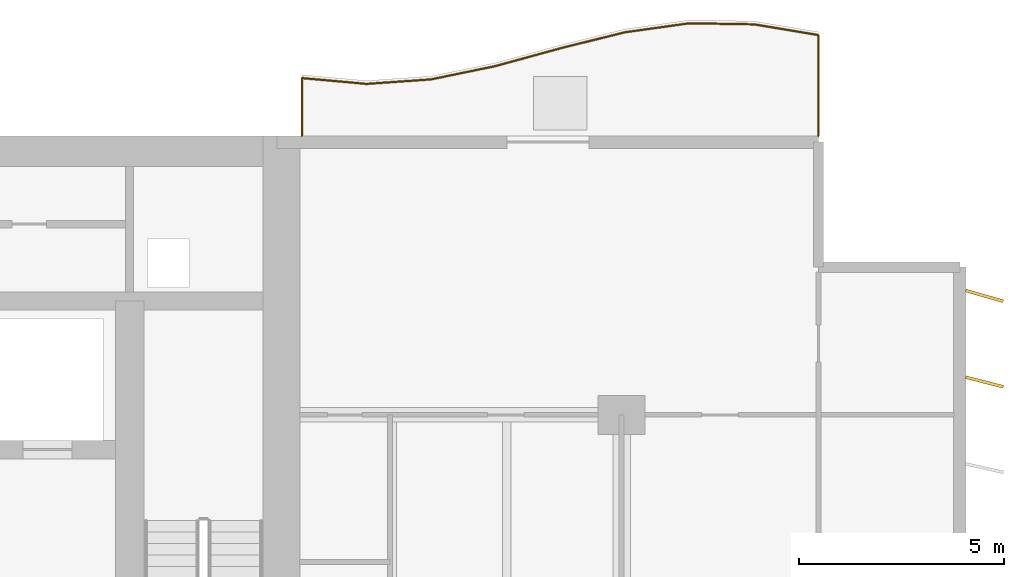
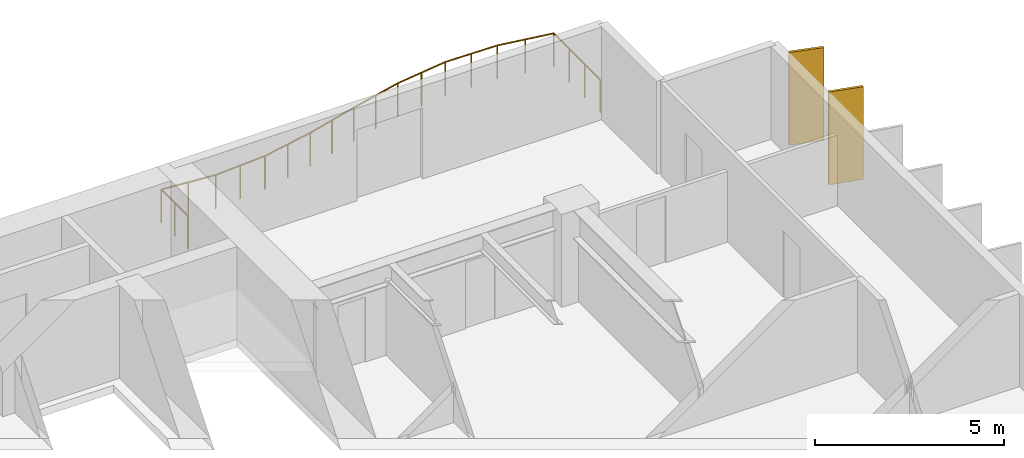
# One storey, part 15 of 15: 2 shading devices, 1 railing.
"""IFC4 building model written with IfcOpenShell, lengths in metres."""

from ifc_helpers import new_model, si_unit, direction, frame, origin, origin_2d, place, context, subcontext, project, spatial, rectangle, circle, extrude, material, material_profile, profile_set, type_object, element, save


model = new_model("IFC4")

# Units and contexts
model_context = context("Model", 3, precision=1e-05, world=origin(), true_north=direction((0.0, 1.0)))
body_context = subcontext(model_context, "Body", "Model", "MODEL_VIEW")
ifc_project = project(units=[si_unit("LENGTHUNIT", "METRE"), si_unit("AREAUNIT", "SQUARE_METRE"), si_unit("VOLUMEUNIT", "CUBIC_METRE"), si_unit("PLANEANGLEUNIT", "RADIAN"), si_unit("MASSUNIT", "GRAM", prefix="KILO")], contexts=[model_context])

# Site, building, storey
site_placement = place(None, origin())
site = spatial("IfcSite", under=ifc_project, at=site_placement, CompositionType="ELEMENT")
building_placement = place(site_placement, origin())
building = spatial("IfcBuilding", under=site, at=building_placement, Name="Caelmar Bay Residences", CompositionType="ELEMENT")
storey_placement = place(building_placement, frame((0.0, 0.0, 76.199951171875)))
storey = spatial("IfcBuildingStorey", under=building, at=storey_placement, Name="L20", CompositionType="ELEMENT", Elevation=76.199951171875)

# Railing
ifc_material_1 = material(Name="Anodised bronze handrail with laminated hurricane glass infill", Category="glass")
railing_type = type_object("IfcRailingType", Name="RL-BAL-1100", PredefinedType="BALUSTRADE", material=ifc_material_1)
railing_placement = place(storey_placement, frame((72.699951171875, 50.60009765625, 0.0)))
element("IfcRailing", 1, at=railing_placement, inside=storey, type_object=railing_type, Name="L20 north_east Balcony Balustrade", PredefinedType="BALUSTRADE", context=body_context, shape_type="SweptSolid", body=[
    extrude(circle(Radius=0.02392578125, at=origin_2d()), frame((0.0, 0.0, 1.076171875), z_axis=(0.0, 1.0, 0.0), x_axis=(-1.0, 0.0, 0.0)), (0.0, 0.0, 1.0), 2.460693359375),
    extrude(circle(Radius=0.02392578125, at=origin_2d()), frame((0.0, 2.460693359375, 1.076171875), z_axis=(-0.986373253557, 0.16452296091, 0.0), x_axis=(-0.16452296091, -0.986373253557, 0.0)), (0.0, 0.0, 1.0), 1.5966796875),
    extrude(circle(Radius=0.02392578125, at=origin_2d()), frame((-1.574951171875, 2.723388671875, 1.076171875), z_axis=(-0.999865029232, 0.016429343218, 0.0), x_axis=(-0.016429343218, -0.999865029232, 0.0)), (0.0, 0.0, 1.0), 1.5751953125),
    extrude(circle(Radius=0.02392578125, at=origin_2d()), frame((-3.14990234375, 2.749267578125, 1.076171875), z_axis=(-0.990365762787, -0.138476192534, 0.0), x_axis=(0.138476192534, -0.990365762787, 0.0)), (0.0, 0.0, 1.0), 1.59033203125),
    extrude(circle(Radius=0.02392578125, at=origin_2d()), frame((-4.724853515625, 2.529052734375, 1.076171875), z_axis=(-0.970424957925, -0.241402984729, 0.0), x_axis=(0.241402984729, -0.970424957925, 0.0)), (0.0, 0.0, 1.0), 1.623291015625),
    extrude(circle(Radius=0.02392578125, at=origin_2d()), frame((-6.300048828125, 2.13720703125, 1.076171875), z_axis=(-0.964473421299, -0.264179900083, 0.0), x_axis=(0.264179900083, -0.964473421299, 0.0)), (0.0, 0.0, 1.0), 1.633056640625),
    extrude(circle(Radius=0.02392578125, at=origin_2d()), frame((-7.875, 1.705810546875, 1.076171875), z_axis=(-0.97931127967, -0.202359624213, 0.0), x_axis=(0.202359624213, -0.97931127967, 0.0)), (0.0, 0.0, 1.0), 1.608154296875),
    extrude(circle(Radius=0.02392578125, at=origin_2d()), frame((-9.449951171875, 1.38037109375, 1.076171875), z_axis=(-0.997575849837, -0.069587526341, 0.0), x_axis=(0.069587526341, -0.997575849837, 0.0)), (0.0, 0.0, 1.0), 1.578857421875),
    extrude(circle(Radius=0.02392578125, at=origin_2d()), frame((-11.02490234375, 1.2705078125, 1.076171875), z_axis=(-0.995927302368, 0.090159904601, 0.0), x_axis=(-0.090159904601, -0.995927302368, 0.0)), (0.0, 0.0, 1.0), 1.581298828125),
    extrude(circle(Radius=0.02392578125, at=origin_2d()), frame((-12.599853515625, 1.4130859375, 1.076171875), z_axis=(0.0, -1.0, 0.0), x_axis=(1.0, 0.0, 0.0)), (0.0, 0.0, 1.0), 1.4130859375),
    extrude(circle(Radius=0.02099609375, at=origin_2d()), origin(), (0.0, 0.0, 1.0), 1.052001953125),
    extrude(circle(Radius=0.02099609375, at=origin_2d()), frame((0.0, 0.8203125, 0.0)), (0.0, 0.0, 1.0), 1.052001953125),
    extrude(circle(Radius=0.02099609375, at=origin_2d()), frame((0.0, 1.640380859375, 0.0)), (0.0, 0.0, 1.0), 1.052001953125),
    extrude(circle(Radius=0.02099609375, at=origin_2d()), frame((0.0, 2.460693359375, 0.0)), (0.0, 0.0, 1.0), 1.052001953125),
    extrude(circle(Radius=0.02099609375, at=origin_2d()), frame((-0.78759765625, 2.592041015625, 0.0)), (0.0, 0.0, 1.0), 1.052001953125),
    extrude(circle(Radius=0.02099609375, at=origin_2d()), frame((-1.574951171875, 2.723388671875, 0.0)), (0.0, 0.0, 1.0), 1.052001953125),
    extrude(circle(Radius=0.02099609375, at=origin_2d()), frame((-2.3623046875, 2.736328125, 0.0)), (0.0, 0.0, 1.0), 1.052001953125),
    extrude(circle(Radius=0.02099609375, at=origin_2d()), frame((-3.14990234375, 2.749267578125, 0.0)), (0.0, 0.0, 1.0), 1.052001953125),
    extrude(circle(Radius=0.02099609375, at=origin_2d()), frame((-3.9375, 2.63916015625, 0.0)), (0.0, 0.0, 1.0), 1.052001953125),
    extrude(circle(Radius=0.02099609375, at=origin_2d()), frame((-4.724853515625, 2.529052734375, 0.0)), (0.0, 0.0, 1.0), 1.052001953125),
    extrude(circle(Radius=0.02099609375, at=origin_2d()), frame((-5.512451171875, 2.3330078125, 0.0)), (0.0, 0.0, 1.0), 1.052001953125),
    extrude(circle(Radius=0.02099609375, at=origin_2d()), frame((-6.300048828125, 2.13720703125, 0.0)), (0.0, 0.0, 1.0), 1.052001953125),
    extrude(circle(Radius=0.02099609375, at=origin_2d()), frame((-7.08740234375, 1.92138671875, 0.0)), (0.0, 0.0, 1.0), 1.052001953125),
    extrude(circle(Radius=0.02099609375, at=origin_2d()), frame((-7.875, 1.705810546875, 0.0)), (0.0, 0.0, 1.0), 1.052001953125),
    extrude(circle(Radius=0.02099609375, at=origin_2d()), frame((-8.66259765625, 1.54296875, 0.0)), (0.0, 0.0, 1.0), 1.052001953125),
    extrude(circle(Radius=0.02099609375, at=origin_2d()), frame((-9.449951171875, 1.38037109375, 0.0)), (0.0, 0.0, 1.0), 1.052001953125),
    extrude(circle(Radius=0.02099609375, at=origin_2d()), frame((-10.2373046875, 1.325439453125, 0.0)), (0.0, 0.0, 1.0), 1.052001953125),
    extrude(circle(Radius=0.02099609375, at=origin_2d()), frame((-11.02490234375, 1.2705078125, 0.0)), (0.0, 0.0, 1.0), 1.052001953125),
    extrude(circle(Radius=0.02099609375, at=origin_2d()), frame((-11.8125, 1.341796875, 0.0)), (0.0, 0.0, 1.0), 1.052001953125),
    extrude(circle(Radius=0.02099609375, at=origin_2d()), frame((-12.599853515625, 1.4130859375, 0.0)), (0.0, 0.0, 1.0), 1.052001953125),
    extrude(circle(Radius=0.02099609375, at=origin_2d()), frame((-12.599853515625, 0.70654296875, 0.0)), (0.0, 0.0, 1.0), 1.052001953125),
    extrude(circle(Radius=0.02099609375, at=origin_2d()), frame((-12.599853515625, 0.0, 0.0)), (0.0, 0.0, 1.0), 1.052001953125),
])

# Shading devices
ifc_material_2 = material(Name="Anodised architectural bronze aluminium 6063-T6", Category="aluminium")
ifc_material_profile = material_profile(ifc_material_2, rectangle(XDim=0.074951171875, YDim=0.949951171875, at=origin_2d()), Name="BRONZE-FIN-75X950")
ifc_profile_set = profile_set([ifc_material_profile], Name="Anodised architectural bronze aluminium 6063-T6")
shading_device_type = type_object("IfcShadingDeviceType", Name="SHD-FIN-950", PredefinedType="USERDEFINED", material=ifc_profile_set)
for number, where, z_axis, x_axis, name in (
    (2, (76.75, 44.60009765625, 0.0), (0.0, 0.0, 1.0), (0.247337247968, 0.968929453452, 0.0), "L20 East Bronze Solar Fin 19"),
    (3, (76.75, 46.699951171875, 0.0), (0.0, 0.0, 1.0), (0.275637355817, 0.961261695938, 0.0), "L20 East Bronze Solar Fin 20"),
):
    element("IfcShadingDevice", number, at=place(storey_placement, frame(where, z_axis=z_axis, x_axis=x_axis)), inside=storey, type_object=shading_device_type, Name=name, ObjectType="FIN", PredefinedType="USERDEFINED", context=body_context, shape_type="SweptSolid", body=[
        extrude(rectangle(XDim=0.074951171875, YDim=0.949951171875, at=origin_2d()), origin(), (0.0, 0.0, 1.0), 3.0),
    ])

save(model, "model.ifc")
